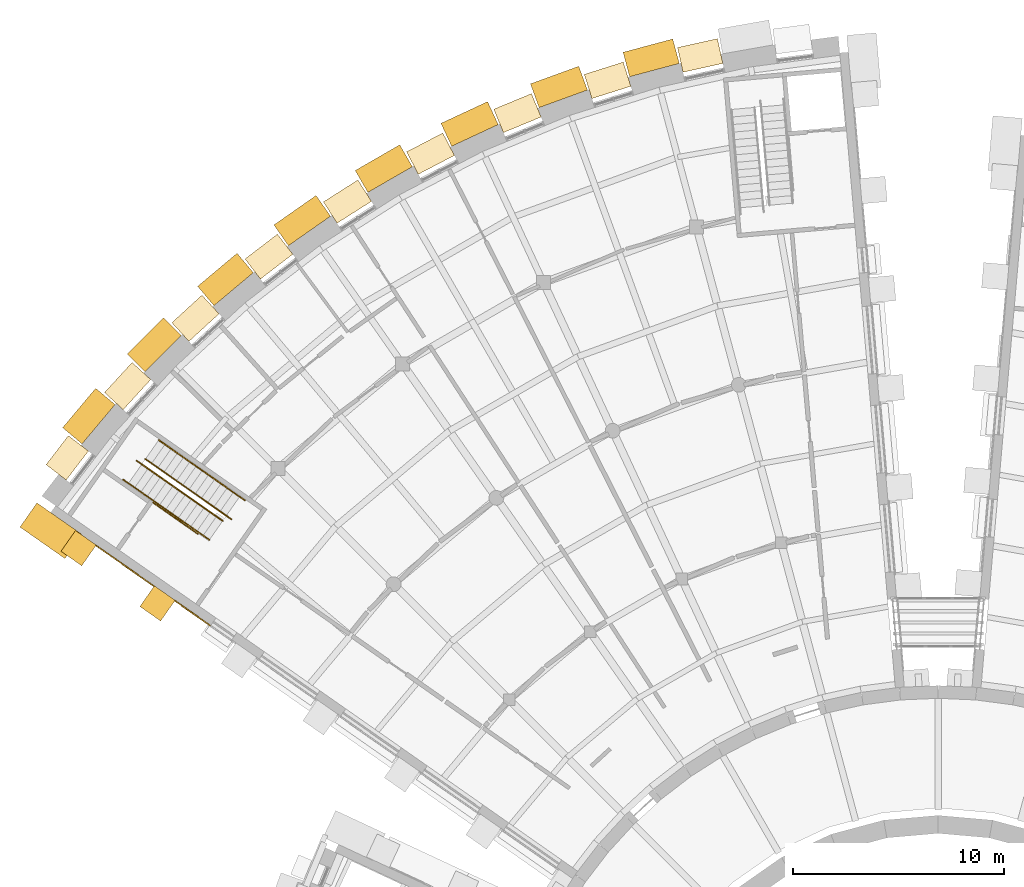
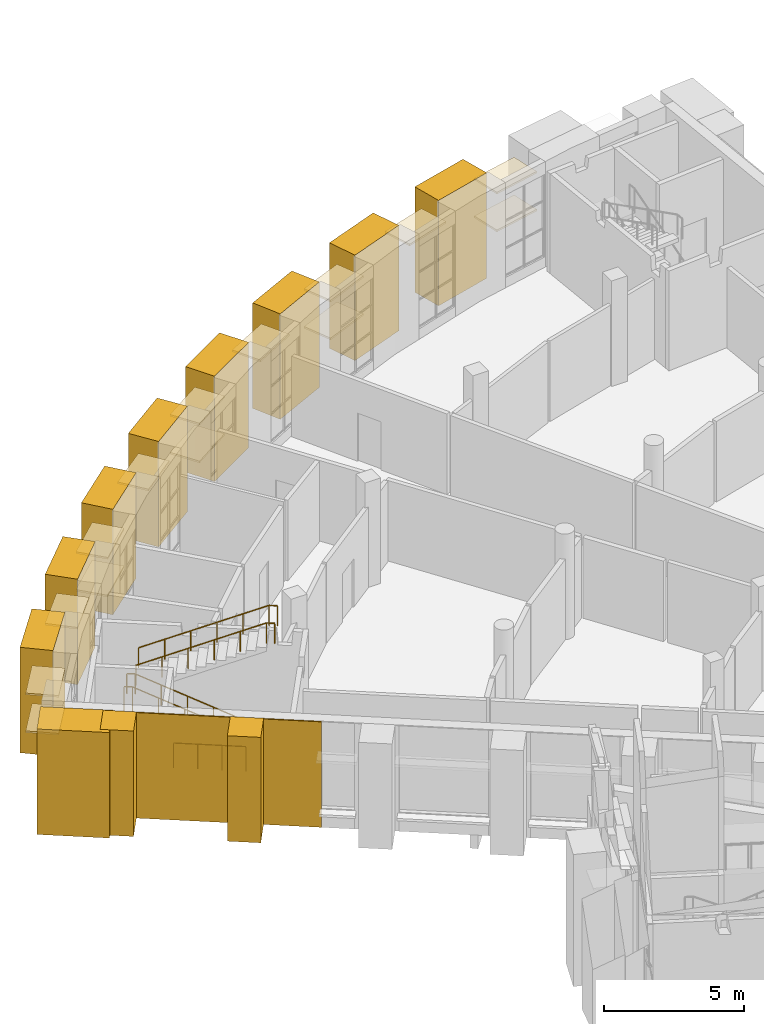
# One storey, part 61 of 66: 27 coverings, 5 railings.
"""IFC4 building model written with IfcOpenShell, lengths in metres."""

from ifc_helpers import new_model, si_unit, direction, frame, origin, origin_2d, place, context, subcontext, project, spatial, polyline, rectangle, circle, outline, extrude, material, layer, layer_set, type_object, element, save


model = new_model("IFC4")

# Units and contexts
model_context = context("Model", 3, precision=1e-05, world=origin(), true_north=direction((0.0, 1.0)))
body_context = subcontext(model_context, "Body", "Model", "MODEL_VIEW")
ifc_project = project(units=[si_unit("LENGTHUNIT", "METRE"), si_unit("AREAUNIT", "SQUARE_METRE"), si_unit("VOLUMEUNIT", "CUBIC_METRE"), si_unit("PLANEANGLEUNIT", "RADIAN"), si_unit("MASSUNIT", "GRAM", prefix="KILO")], contexts=[model_context])

# Site, building, storey
site_placement = place(None, origin())
site = spatial("IfcSite", under=ifc_project, at=site_placement, CompositionType="ELEMENT")
building_placement = place(site_placement, origin())
building = spatial("IfcBuilding", under=site, at=building_placement, Name="Volute Hill Aquarium", CompositionType="ELEMENT")
storey_placement = place(building_placement, frame((0.0, 0.0, 4.60009765625)))
storey = spatial("IfcBuildingStorey", under=building, at=storey_placement, Name="L02", CompositionType="ELEMENT", Elevation=4.60009765625)

# Coverings
ifc_material_1 = material(Name="Precast concrete C40/50", Category="concrete")
covering_type_1 = type_object("IfcCoveringType", Name="End wall precast fin C40/50 1200x1200", PredefinedType="CLADDING", material=ifc_material_1)
for number, where, z_axis, x_axis, name in (
    (1, (-36.996337890625, 24.89794921875, -0.000244140625), (0.0, 0.0, 1.0), (-0.819152992671, 0.573575081919, 0.0), "End wall fin EWF S6B L02 6"),
    (2, (-40.734619140625, 27.515380859375, -0.000244140625), (0.0, 0.0, 1.0), (-0.819152992671, 0.573575081919, 0.0), "End wall fin EWF S6B L02 7"),
):
    element("IfcCovering", number, at=place(storey_placement, frame(where, z_axis=z_axis, x_axis=x_axis)), inside=storey, type_object=covering_type_1, Name=name, PredefinedType="CLADDING", context=body_context, shape_type="SweptSolid", body=[
        extrude(rectangle(XDim=1.199951171875, YDim=1.199951171875, at=origin_2d()), origin(), (0.0, 0.0, 1.0), 4.60009765625),
    ])
ifc_material_2 = material(Name="Precast concrete C40/50", Category="concrete")
ifc_layer_1 = layer(ifc_material_2, 0.050048828125)
ifc_layer_set_1 = layer_set([ifc_layer_1], Name="End wall precast infill panel C40/50 50")
covering_type_2 = type_object("IfcCoveringType", Name="End wall precast infill panel C40/50 50", PredefinedType="CLADDING", material=ifc_layer_set_1)
covering_1_placement = place(storey_placement, frame((-34.465087890625, 23.858154296875, 0.0), z_axis=(0.573581077928, 0.819148794203, 0.0), x_axis=(-0.819148794203, 0.573581077928, 0.0)))
element("IfcCovering", 3, at=covering_1_placement, inside=storey, type_object=covering_type_2, Name="End wall panel EWP S6B L02 5", PredefinedType="CLADDING", context=body_context, shape_type="SweptSolid", body=[
    extrude(outline(polyline([(0.0, 0.0), (2.069900673266185, 0.0), (2.069900673266185, 4.599853515625), (0.0, 4.599853515625), (0.0, 0.0)])), origin(), (0.0, 0.0, -1.0), 0.050048828125),
])
covering_2_placement = place(storey_placement, frame((-37.143798828125, 25.733642578125, 0.0), z_axis=(0.573584128646, 0.819146658032, 0.0), x_axis=(-0.819146658032, 0.573584128646, 0.0)))
element("IfcCovering", 4, at=covering_2_placement, inside=storey, type_object=covering_type_2, Name="End wall panel EWP S6B L02 6", PredefinedType="CLADDING", context=body_context, shape_type="SweptSolid", body=[
    extrude(outline(polyline([(0.0, 0.0), (3.3634110889781903, 0.0), (3.3634110889781903, 4.599853515625), (0.0, 4.599853515625), (0.0, 0.0)])), origin(), (0.0, 0.0, -1.0), 0.050048828125),
])

# Railings
ifc_material_3 = material(Name="Stainless steel 1.4301", Category="steel")
railing_type_1 = type_object("IfcRailingType", Name="Guard 1100 stainless", PredefinedType="GUARDRAIL", material=ifc_material_3)
railing_1_placement = place(storey_placement, frame((-37.206298828125, 29.677734375, 0.0)))
element("IfcRailing", 5, at=railing_1_placement, inside=storey, type_object=railing_type_1, Name="gd/S6-B/L02/edge", PredefinedType="GUARDRAIL", context=body_context, shape_type="SweptSolid", body=[
    extrude(circle(Radius=0.02392578125, at=origin_2d()), frame((0.0, 0.0, 1.076171875), z_axis=(0.819178980414, -0.573537965655, 0.0), x_axis=(0.573537965655, 0.819178980414, 0.0)), (0.0, 0.0, 1.0), 2.60009765625),
    extrude(circle(Radius=0.02099609375, at=origin_2d()), origin(), (0.0, 0.0, 1.0), 1.052001953125),
    extrude(circle(Radius=0.02099609375, at=origin_2d()), frame((0.7099609375, -0.4970703125, 0.0)), (0.0, 0.0, 1.0), 1.052001953125),
    extrude(circle(Radius=0.02099609375, at=origin_2d()), frame((1.419921875, -0.994140625, 0.0)), (0.0, 0.0, 1.0), 1.052001953125),
    extrude(circle(Radius=0.02099609375, at=origin_2d()), frame((2.1298828125, -1.4912109375, 0.0)), (0.0, 0.0, 1.0), 1.052001953125),
])
railing_2_placement = place(storey_placement, frame((-34.5390625, 27.90771484375, 0.164306640625)))
element("IfcRailing", 6, at=railing_2_placement, inside=storey, type_object=railing_type_1, Name="gd/S6-B/L02/1", PredefinedType="GUARDRAIL", context=body_context, shape_type="SweptSolid", body=[
    extrude(circle(Radius=0.02392578125, at=origin_2d()), frame((0.0, 0.0, 1.076171875), z_axis=(-0.745226168694, 0.521843402596, 0.415111335259), x_axis=(-0.573598873883, -0.819136332902, 0.0)), (0.0, 0.0, 1.0), 5.144287109375),
    extrude(circle(Radius=0.02392578125, at=origin_2d()), frame((-3.833740234375, 2.6845703125, 3.21142578125), z_axis=(-0.818925855405, 0.573899332068, 0.0), x_axis=(-0.573899332068, -0.818925855405, 0.0)), (0.0, 0.0, 1.0), 0.2998046875),
    extrude(circle(Radius=0.02099609375, at=origin_2d()), origin(), (0.0, 0.0, 1.0), 1.052001953125),
    extrude(circle(Radius=0.02099609375, at=origin_2d()), frame((-0.766845703125, 0.536865234375, 0.427001953125)), (0.0, 0.0, 1.0), 1.052001953125),
    extrude(circle(Radius=0.02099609375, at=origin_2d()), frame((-1.533447265625, 1.07373046875, 0.854248046875)), (0.0, 0.0, 1.0), 1.052001953125),
    extrude(circle(Radius=0.02099609375, at=origin_2d()), frame((-2.30029296875, 1.61083984375, 1.28125)), (0.0, 0.0, 1.0), 1.052001953125),
    extrude(circle(Radius=0.02099609375, at=origin_2d()), frame((-3.06689453125, 2.147705078125, 1.70849609375)), (0.0, 0.0, 1.0), 1.052001953125),
    extrude(circle(Radius=0.02099609375, at=origin_2d()), frame((-3.833740234375, 2.6845703125, 2.135498046875)), (0.0, 0.0, 1.0), 1.052001953125),
    extrude(circle(Radius=0.02099609375, at=origin_2d()), frame((-4.079345703125, 2.856689453125, 2.135498046875)), (0.0, 0.0, 1.0), 1.052001953125),
])
ifc_material_4 = material(Name="Stainless steel 1.4301", Category="steel")
railing_type_2 = type_object("IfcRailingType", Name="Handrail 48 stainless", PredefinedType="HANDRAIL", material=ifc_material_4)
railing_3_placement = place(storey_placement, frame((-33.908203125, 28.808837890625, 0.164306640625)))
element("IfcRailing", 7, at=railing_3_placement, inside=storey, type_object=railing_type_2, Name="hr/S6-B/L02/2", PredefinedType="HANDRAIL", context=body_context, shape_type="SweptSolid", body=[
    extrude(circle(Radius=0.02392578125, at=origin_2d()), frame((0.0, 0.0, 0.8759765625), z_axis=(-0.745205066139, 0.521861858825, 0.415126016655), x_axis=(-0.573623384376, -0.819119168923, 0.0)), (0.0, 0.0, 1.0), 5.144287109375),
    extrude(circle(Radius=0.02392578125, at=origin_2d()), frame((-3.83349609375, 2.6845703125, 3.01123046875), z_axis=(-0.819575896246, 0.572970636502, 0.0), x_axis=(-0.572970636502, -0.819575896246, 0.0)), (0.0, 0.0, 1.0), 0.300048828125),
    extrude(circle(Radius=0.02099609375, at=origin_2d()), origin(), (0.0, 0.0, 1.0), 0.851806640625),
    extrude(circle(Radius=0.02099609375, at=origin_2d()), frame((-0.7666015625, 0.536865234375, 0.427001953125)), (0.0, 0.0, 1.0), 0.851806640625),
    extrude(circle(Radius=0.02099609375, at=origin_2d()), frame((-1.533447265625, 1.07373046875, 0.854248046875)), (0.0, 0.0, 1.0), 0.851806640625),
    extrude(circle(Radius=0.02099609375, at=origin_2d()), frame((-2.300048828125, 1.61083984375, 1.28125)), (0.0, 0.0, 1.0), 0.851806640625),
    extrude(circle(Radius=0.02099609375, at=origin_2d()), frame((-3.06689453125, 2.147705078125, 1.70849609375)), (0.0, 0.0, 1.0), 0.851806640625),
    extrude(circle(Radius=0.02099609375, at=origin_2d()), frame((-3.83349609375, 2.6845703125, 2.135498046875)), (0.0, 0.0, 1.0), 0.851806640625),
    extrude(circle(Radius=0.02099609375, at=origin_2d()), frame((-4.079345703125, 2.8564453125, 2.135498046875)), (0.0, 0.0, 1.0), 0.851806640625),
])
railing_4_placement = place(storey_placement, frame((-37.569580078125, 31.739013671875, 2.464111328125)))
element("IfcRailing", 8, at=railing_4_placement, inside=storey, type_object=railing_type_2, Name="hr/S6-B/L02/3", PredefinedType="HANDRAIL", context=body_context, shape_type="SweptSolid", body=[
    extrude(circle(Radius=0.02392578125, at=origin_2d()), frame((0.0, 0.0, 0.8759765625), z_axis=(0.745208839402, -0.521817041729, 0.415175578085), x_axis=(0.573588381334, 0.819143680192, 0.0)), (0.0, 0.0, 1.0), 5.144287109375),
    extrude(circle(Radius=0.02392578125, at=origin_2d()), frame((3.83349609375, -2.684326171875, 3.01171875), z_axis=(0.819193700616, -0.573516940352, 0.0), x_axis=(0.573516940352, 0.819193700616, 0.0)), (0.0, 0.0, 1.0), 0.300048828125),
    extrude(circle(Radius=0.02099609375, at=origin_2d()), origin(), (0.0, 0.0, 1.0), 0.851806640625),
    extrude(circle(Radius=0.02099609375, at=origin_2d()), frame((0.7666015625, -0.536865234375, 0.42724609375)), (0.0, 0.0, 1.0), 0.851806640625),
    extrude(circle(Radius=0.02099609375, at=origin_2d()), frame((1.533447265625, -1.07373046875, 0.854248046875)), (0.0, 0.0, 1.0), 0.851806640625),
    extrude(circle(Radius=0.02099609375, at=origin_2d()), frame((2.300048828125, -1.610595703125, 1.281494140625)), (0.0, 0.0, 1.0), 0.851806640625),
    extrude(circle(Radius=0.02099609375, at=origin_2d()), frame((3.06689453125, -2.1474609375, 1.70849609375)), (0.0, 0.0, 1.0), 0.851806640625),
    extrude(circle(Radius=0.02099609375, at=origin_2d()), frame((3.83349609375, -2.684326171875, 2.1357421875)), (0.0, 0.0, 1.0), 0.851806640625),
    extrude(circle(Radius=0.02099609375, at=origin_2d()), frame((4.079345703125, -2.8564453125, 2.1357421875)), (0.0, 0.0, 1.0), 0.851806640625),
])
railing_5_placement = place(storey_placement, frame((-36.938720703125, 32.64013671875, 2.464111328125)))
element("IfcRailing", 9, at=railing_5_placement, inside=storey, type_object=railing_type_2, Name="hr/S6-B/L02/4", PredefinedType="HANDRAIL", context=body_context, shape_type="SweptSolid", body=[
    extrude(circle(Radius=0.02392578125, at=origin_2d()), frame((0.0, 0.0, 0.8759765625), z_axis=(0.745229941797, -0.521798586898, 0.415160894787), x_axis=(0.57356387087, 0.81916084259, 0.0)), (0.0, 0.0, 1.0), 5.144287109375),
    extrude(circle(Radius=0.02392578125, at=origin_2d()), frame((3.833740234375, -2.684326171875, 3.01171875), z_axis=(0.818925855405, -0.573899332068, 0.0), x_axis=(0.573899332068, 0.818925855405, 0.0)), (0.0, 0.0, 1.0), 0.2998046875),
    extrude(circle(Radius=0.02099609375, at=origin_2d()), origin(), (0.0, 0.0, 1.0), 0.851806640625),
    extrude(circle(Radius=0.02099609375, at=origin_2d()), frame((0.766845703125, -0.536865234375, 0.42724609375)), (0.0, 0.0, 1.0), 0.851806640625),
    extrude(circle(Radius=0.02099609375, at=origin_2d()), frame((1.533447265625, -1.07373046875, 0.854248046875)), (0.0, 0.0, 1.0), 0.851806640625),
    extrude(circle(Radius=0.02099609375, at=origin_2d()), frame((2.30029296875, -1.610595703125, 1.281494140625)), (0.0, 0.0, 1.0), 0.851806640625),
    extrude(circle(Radius=0.02099609375, at=origin_2d()), frame((3.06689453125, -2.1474609375, 1.70849609375)), (0.0, 0.0, 1.0), 0.851806640625),
    extrude(circle(Radius=0.02099609375, at=origin_2d()), frame((3.833740234375, -2.684326171875, 2.1357421875)), (0.0, 0.0, 1.0), 0.851806640625),
    extrude(circle(Radius=0.02099609375, at=origin_2d()), frame((4.079345703125, -2.8564453125, 2.1357421875)), (0.0, 0.0, 1.0), 0.851806640625),
])

# Coverings
ifc_material_5 = material(Name="Aluminium, anodised", Category="aluminium")
ifc_layer_2 = layer(ifc_material_5, 0.080078125)
ifc_layer_set_2 = layer_set([ifc_layer_2], Name="Horizontal brise-soleil eyebrow 1200x80")
covering_type_3 = type_object("IfcCoveringType", Name="Horizontal brise-soleil eyebrow 1200x80", PredefinedType="CLADDING", material=ifc_layer_set_2)
for number, where, z_axis, x_axis, name in (
    (10, (-11.27685546875, 50.865966796875, 3.85986328125), (0.0, 0.0, 1.0), (-0.976298376022, -0.216428928234, 0.0), "Brise-soleil eyebrow BS S6 L02 2.1"),
    (11, (-11.27685546875, 50.865966796875, 2.2099609375), (0.0, 0.0, 1.0), (-0.976298376022, -0.216428928234, 0.0), "Brise-soleil eyebrow BS S6 L02 2.2"),
    (12, (-15.6669921875, 49.689453125, 3.85986328125), (0.0, 0.0, 1.0), (-0.953718003322, -0.300702461147, 0.0), "Brise-soleil eyebrow BS S6 L02 3.1"),
    (13, (-19.938232421875, 48.135009765625, 3.85986328125), (0.0, 0.0, 1.0), (-0.923880784882, -0.382680408861, 0.0), "Brise-soleil eyebrow BS S6 L02 4.1"),
    (14, (-19.938232421875, 48.135009765625, 2.2099609375), (0.0, 0.0, 1.0), (-0.923880784882, -0.382680408861, 0.0), "Brise-soleil eyebrow BS S6 L02 4.2"),
    (15, (-24.0576171875, 46.214111328125, 3.85986328125), (0.0, 0.0, 1.0), (-0.887005547579, -0.461758766635, 0.0), "Brise-soleil eyebrow BS S6 L02 5.1"),
    (16, (-27.993896484375, 43.94140625, 3.85986328125), (0.0, 0.0, 1.0), (-0.843395858464, -0.537292681808, 0.0), "Brise-soleil eyebrow BS S6 L02 6.1"),
    (17, (-27.993896484375, 43.94140625, 2.2099609375), (0.0, 0.0, 1.0), (-0.843395858464, -0.537292681808, 0.0), "Brise-soleil eyebrow BS S6 L02 6.2"),
    (18, (-31.717041015625, 41.33447265625, 3.85986328125), (0.0, 0.0, 1.0), (-0.793350035535, -0.608765735827, 0.0), "Brise-soleil eyebrow BS S6 L02 7.1"),
    (19, (-35.198974609375, 38.412841796875, 3.85986328125), (0.0, 0.0, 1.0), (-0.737286116943, -0.675580625657, 0.0), "Brise-soleil eyebrow BS S6 L02 8.1"),
    (20, (-35.198974609375, 38.412841796875, 2.2099609375), (0.0, 0.0, 1.0), (-0.737286116943, -0.675580625657, 0.0), "Brise-soleil eyebrow BS S6 L02 8.2"),
    (21, (-38.412841796875, 35.198974609375, 3.85986328125), (0.0, 0.0, 1.0), (-0.675580625657, -0.737286116943, 0.0), "Brise-soleil eyebrow BS S6 L02 9.1"),
):
    element("IfcCovering", number, at=place(storey_placement, frame(where, z_axis=z_axis, x_axis=x_axis)), inside=storey, type_object=covering_type_3, Name=name, PredefinedType="CLADDING", context=body_context, shape_type="SweptSolid", body=[
        extrude(rectangle(XDim=1.933837890625, YDim=1.199951171875, at=origin_2d()), origin(), (0.0, 0.0, 1.0), 0.080078125),
    ])
for number, where, z_axis, x_axis, name in (
    (22, (-41.2734375, 31.79638671875, 3.85986328125), (0.0, 0.0, 1.0), (-0.608765735827, -0.793350035535, 0.0), "Brise-soleil eyebrow BS S6 L02 10.1"),
    (23, (-41.2734375, 31.79638671875, 2.2099609375), (0.0, 0.0, 1.0), (-0.608765735827, -0.793350035535, 0.0), "Brise-soleil eyebrow BS S6 L02 10.2"),
):
    element("IfcCovering", number, at=place(storey_placement, frame(where, z_axis=z_axis, x_axis=x_axis)), inside=storey, type_object=covering_type_3, Name=name, PredefinedType="CLADDING", context=body_context, shape_type="SweptSolid", body=[
        extrude(rectangle(XDim=1.733642578125, YDim=1.199951171875, at=origin_2d()), origin(), (0.0, 0.0, 1.0), 0.080078125),
    ])
ifc_material_6 = material(Name="Precast concrete C40/50", Category="concrete")
covering_type_4 = type_object("IfcCoveringType", Name="Projecting pier precast concrete C40/50 2435x1200", PredefinedType="CLADDING", material=ifc_material_6)
for number, where, z_axis, x_axis, name in (
    (24, (-13.599365234375, 50.75341796875, -0.000244140625), (0.0, 0.0, 1.0), (-0.965925826289, -0.258819045103, 0.0), "Projecting pier PP S6 L02 2"),
    (25, (-17.970947265625, 49.375, -0.000244140625), (0.0, 0.0, 1.0), (-0.939692620786, -0.342020143326, 0.0), "Projecting pier PP S6 L02 3"),
    (26, (-22.205810546875, 47.620849609375, -0.000244140625), (0.0, 0.0, 1.0), (-0.906307787037, -0.422618261741, 0.0), "Projecting pier PP S6 L02 4"),
    (27, (-26.271728515625, 45.504150390625, -0.000244140625), (0.0, 0.0, 1.0), (-0.866025403784, -0.5, 0.0), "Projecting pier PP S6 L02 5"),
    (28, (-30.1376953125, 43.041259765625, -0.000244140625), (0.0, 0.0, 1.0), (-0.819152044289, -0.573576436351, 0.0), "Projecting pier PP S6 L02 6"),
    (29, (-33.7744140625, 40.250732421875, -0.000244140625), (0.0, 0.0, 1.0), (-0.766044443119, -0.642787609687, 0.0), "Projecting pier PP S6 L02 7"),
    (30, (-37.154052734375, 37.154052734375, -0.000244140625), (0.0, 0.0, 1.0), (-0.707106781187, -0.707106781187, 0.0), "Projecting pier PP S6 L02 8"),
    (31, (-40.250732421875, 33.7744140625, -0.000244140625), (0.0, 0.0, 1.0), (-0.642787609687, -0.766044443119, 0.0), "Projecting pier PP S6 L02 9"),
):
    element("IfcCovering", number, at=place(storey_placement, frame(where, z_axis=z_axis, x_axis=x_axis)), inside=storey, type_object=covering_type_4, Name=name, PredefinedType="CLADDING", context=body_context, shape_type="SweptSolid", body=[
        extrude(rectangle(XDim=2.435302734375, YDim=1.199951171875, at=origin_2d()), origin(), (0.0, 0.0, 1.0), 4.60009765625),
    ])
ifc_material_7 = material(Name="Precast concrete C40/50", Category="concrete")
covering_type_5 = type_object("IfcCoveringType", Name="Step pylon precast concrete C40/50 1400x2600", PredefinedType="CLADDING", material=ifc_material_7)
covering_3_placement = place(storey_placement, frame((-42.047119140625, 28.343017578125, -0.000244140625), z_axis=(0.0, 0.0, 1.0), x_axis=(-0.819152044289, 0.573576436351, 0.0)))
element("IfcCovering", 32, at=covering_3_placement, inside=storey, type_object=covering_type_5, Name="Step pylon SPY S6B L02", PredefinedType="CLADDING", context=body_context, shape_type="SweptSolid", body=[
    extrude(rectangle(XDim=2.60009765625, YDim=1.39990234375, at=origin_2d()), origin(), (0.0, 0.0, 1.0), 4.60009765625),
])

save(model, "model.ifc")
